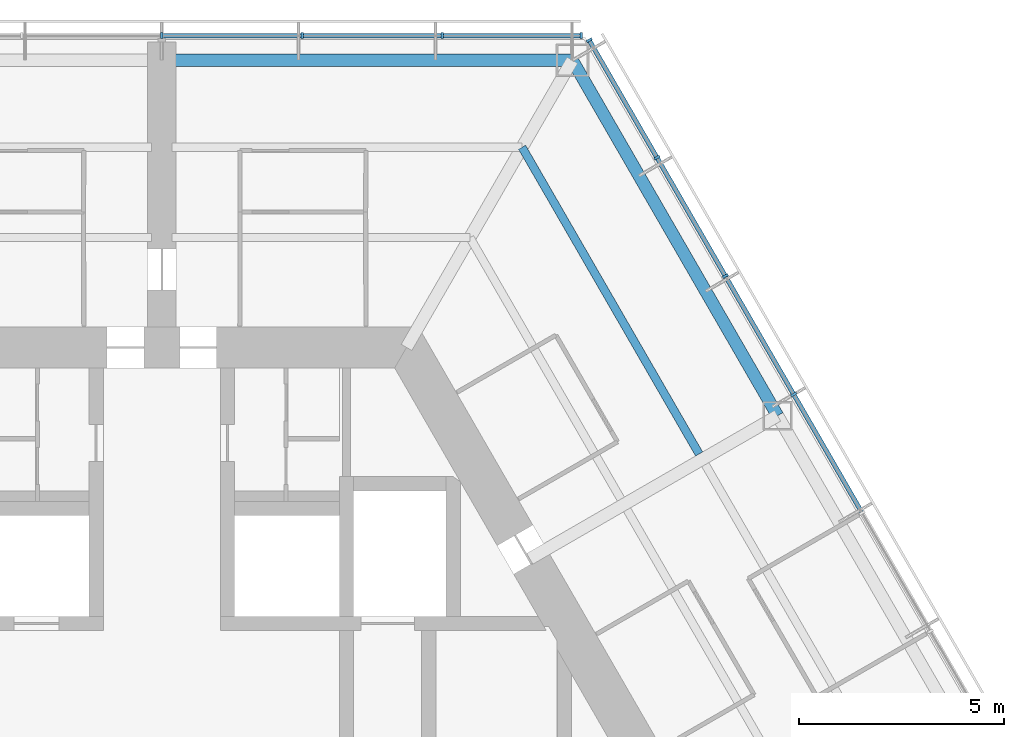
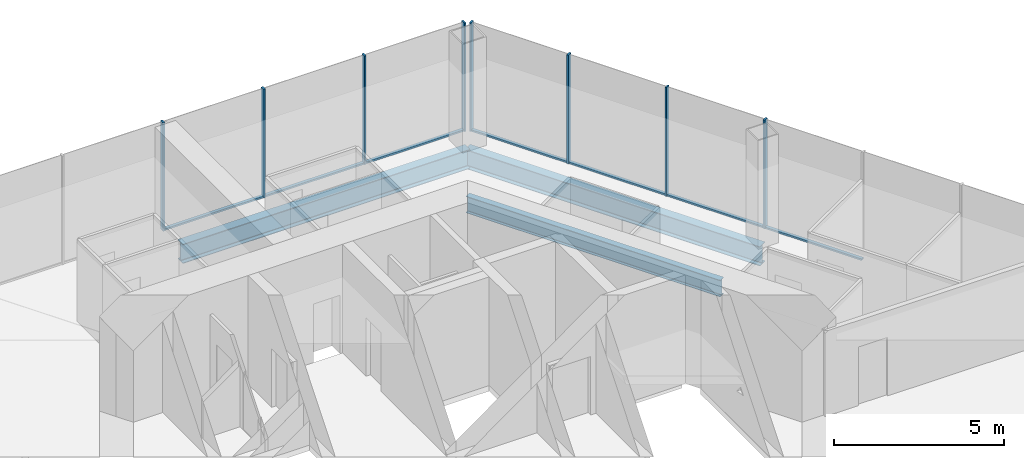
# One storey, part 8 of 18: 15 members, 3 beams, 2 elements without a shape of their own.
"""IFC4 building model written with IfcOpenShell, lengths in metres."""

from ifc_helpers import new_model, si_unit, direction, frame, origin, origin_2d, place, context, subcontext, project, spatial, rectangle, i_section, extrude, material, material_profile, profile_set, type_object, element, aggregate, save


model = new_model("IFC4")

# Units and contexts
model_context = context("Model", 3, precision=1e-05, world=origin(), true_north=direction((0.0, 1.0)))
body_context = subcontext(model_context, "Body", "Model", "MODEL_VIEW")
ifc_project = project(units=[si_unit("LENGTHUNIT", "METRE"), si_unit("AREAUNIT", "SQUARE_METRE"), si_unit("VOLUMEUNIT", "CUBIC_METRE"), si_unit("PLANEANGLEUNIT", "RADIAN"), si_unit("MASSUNIT", "GRAM", prefix="KILO")], contexts=[model_context])

# Site, building, storey
site_placement = place(None, origin())
site = spatial("IfcSite", under=ifc_project, at=site_placement, CompositionType="ELEMENT")
building_placement = place(site_placement, origin())
building = spatial("IfcBuilding", under=site, at=building_placement, Name="Kasaneha Research Tower", CompositionType="ELEMENT")
storey_placement = place(building_placement, frame((0.0, 0.0, 176.0)))
storey = spatial("IfcBuildingStorey", under=building, at=storey_placement, Name="L44", CompositionType="ELEMENT", Elevation=176.0)

# Beam
ifc_material_1 = material(Name="Steel SN490B", Category="steel")
ifc_material_profile_1 = material_profile(ifc_material_1, i_section(OverallWidth=0.199951171875, OverallDepth=0.60009765625, WebThickness=0.010986328125, FlangeThickness=0.01708984375, FilletRadius=0.012939453125, at=origin_2d()), Name="H-600x200x11x17")
ifc_profile_set_1 = profile_set([ifc_material_profile_1], Name="Steel SN490B")
beam_type_1 = type_object("IfcBeamType", Name="B1-3 secondary beam H-600x200x11x17", PredefinedType="JOIST", material=ifc_profile_set_1)
beam_1_placement = place(storey_placement, frame((8.775634765625, 15.199951171875, -0.449951171875), z_axis=(0.500017275495, -0.866015429543, 0.0), x_axis=(0.866015429543, 0.500017275495, 0.0)))
element("IfcBeam", 1, at=beam_1_placement, inside=storey, type_object=beam_type_1, Name="Secondary beam RS030R2 L44", PredefinedType="JOIST", context=body_context, shape_type="SweptSolid", body=[
    extrude(i_section(OverallWidth=0.199951171875, OverallDepth=0.60009765625, WebThickness=0.010986328125, FlangeThickness=0.01708984375, FilletRadius=0.012939453125, at=origin_2d()), origin(), (0.0, 0.0, 1.0), 8.625732421875),
])

# Curtain wall, members
ifc_material_2 = material(Name="Glass and aluminium", Category="aluminium")
curtain_wall_type = type_object("IfcCurtainWallType", Name="Mid-rise office curtain wall", PredefinedType="USERDEFINED", material=ifc_material_2)
curtain_wall_1_placement = place(storey_placement, origin())
curtain_wall_1 = element("IfcCurtainWall", 2, at=curtain_wall_1_placement, inside=storey, type_object=curtain_wall_type, Name="CW-O2 L44 run 06a", ObjectType="UNITISED CURTAIN WALL", PredefinedType="USERDEFINED")
ifc_material_3 = material(Name="Aluminium 6063-T6", Category="aluminium")
ifc_material_profile_2 = material_profile(ifc_material_3, rectangle(XDim=0.06005859375, YDim=0.14990234375, at=origin_2d()), Name="CW-O2 mullion 60x150")
ifc_profile_set_2 = profile_set([ifc_material_profile_2], Name="Aluminium 6063-T6")
member_type_1 = type_object("IfcMemberType", Name="CW-O2 mullion", PredefinedType="MULLION", material=ifc_profile_set_2)
member_1_placement = place(storey_placement, frame((15.392822265625, 9.179931640625, 0.0), z_axis=(0.0, 0.0, 1.0), x_axis=(-0.499999979232, 0.866025415775, 0.0)))
member_1 = element("IfcMember", 3, at=member_1_placement, type_object=member_type_1, Name="CW-O2 mullion 4", PredefinedType="MULLION", context=body_context, shape_type="SweptSolid", body=[
    extrude(rectangle(XDim=0.06005859375, YDim=0.14990234375, at=origin_2d()), origin(), (0.0, 0.0, 1.0), 3.89990234375),
])
member_2_placement = place(storey_placement, frame((13.727294921875, 12.064453125, 0.0), z_axis=(0.0, 0.0, 1.0), x_axis=(-0.499999979232, 0.866025415775, 0.0)))
member_2 = element("IfcMember", 4, at=member_2_placement, type_object=member_type_1, Name="CW-O2 mullion 5", PredefinedType="MULLION", context=body_context, shape_type="SweptSolid", body=[
    extrude(rectangle(XDim=0.06005859375, YDim=0.14990234375, at=origin_2d()), origin(), (0.0, 0.0, 1.0), 3.89990234375),
])
member_3_placement = place(storey_placement, frame((12.061767578125, 14.94921875, 0.0), z_axis=(0.0, 0.0, 1.0), x_axis=(-0.499999979232, 0.866025415775, 0.0)))
member_3 = element("IfcMember", 5, at=member_3_placement, type_object=member_type_1, Name="CW-O2 mullion 6", PredefinedType="MULLION", context=body_context, shape_type="SweptSolid", body=[
    extrude(rectangle(XDim=0.06005859375, YDim=0.14990234375, at=origin_2d()), origin(), (0.0, 0.0, 1.0), 3.89990234375),
])
member_4_placement = place(storey_placement, frame((10.411376953125, 17.807861328125, 0.0), z_axis=(0.0, 0.0, 1.0), x_axis=(-0.499999979232, 0.866025415775, 0.0)))
member_4 = element("IfcMember", 6, at=member_4_placement, type_object=member_type_1, Name="CW-O2 mullion 7", PredefinedType="MULLION", context=body_context, shape_type="SweptSolid", body=[
    extrude(rectangle(XDim=0.06005859375, YDim=0.14990234375, at=origin_2d()), origin(), (0.0, 0.0, 1.0), 3.89990234375),
])

curtain_wall_2_placement = place(storey_placement, origin())
curtain_wall_2 = element("IfcCurtainWall", 7, at=curtain_wall_2_placement, inside=storey, type_object=curtain_wall_type, Name="CW-O2 L44 run 07a", ObjectType="UNITISED CURTAIN WALL", PredefinedType="USERDEFINED")
member_5_placement = place(storey_placement, frame((10.21630859375, 17.92041015625, 0.0), z_axis=(0.0, 0.0, 1.0), x_axis=(-1.0, 0.0, 0.0)))
member_5 = element("IfcMember", 8, at=member_5_placement, type_object=member_type_1, Name="CW-O2 mullion 1", PredefinedType="MULLION", context=body_context, shape_type="SweptSolid", body=[
    extrude(rectangle(XDim=0.06005859375, YDim=0.14990234375, at=origin_2d()), origin(), (0.0, 0.0, 1.0), 3.89990234375),
])
member_6_placement = place(storey_placement, frame((6.8310546875, 17.92041015625, 0.0), z_axis=(0.0, 0.0, 1.0), x_axis=(-1.0, 0.0, 0.0)))
member_6 = element("IfcMember", 9, at=member_6_placement, type_object=member_type_1, Name="CW-O2 mullion 2", PredefinedType="MULLION", context=body_context, shape_type="SweptSolid", body=[
    extrude(rectangle(XDim=0.06005859375, YDim=0.14990234375, at=origin_2d()), origin(), (0.0, 0.0, 1.0), 3.89990234375),
])
member_7_placement = place(storey_placement, frame((3.41552734375, 17.92041015625, 0.0), z_axis=(0.0, 0.0, 1.0), x_axis=(-1.0, 0.0, 0.0)))
member_7 = element("IfcMember", 10, at=member_7_placement, type_object=member_type_1, Name="CW-O2 mullion 3", PredefinedType="MULLION", context=body_context, shape_type="SweptSolid", body=[
    extrude(rectangle(XDim=0.06005859375, YDim=0.14990234375, at=origin_2d()), origin(), (0.0, 0.0, 1.0), 3.89990234375),
])
member_8_placement = place(storey_placement, frame((0.0, 17.92041015625, 0.0), z_axis=(0.0, 0.0, 1.0), x_axis=(-1.0, 0.0, 0.0)))
member_8 = element("IfcMember", 11, at=member_8_placement, type_object=member_type_1, Name="CW-O2 mullion 4", PredefinedType="MULLION", context=body_context, shape_type="SweptSolid", body=[
    extrude(rectangle(XDim=0.06005859375, YDim=0.14990234375, at=origin_2d()), origin(), (0.0, 0.0, 1.0), 3.89990234375),
])

# Member
ifc_material_4 = material(Name="Aluminium 6063-T6", Category="aluminium")
ifc_material_profile_3 = material_profile(ifc_material_4, rectangle(XDim=0.110107421875, YDim=0.06005859375, at=origin_2d()), Name="CW-O2 transom 110x60")
ifc_profile_set_3 = profile_set([ifc_material_profile_3], Name="Aluminium 6063-T6")
member_type_2 = type_object("IfcMemberType", Name="CW-O2 transom", PredefinedType="USERDEFINED", material=ifc_profile_set_3)
member_9_placement = place(storey_placement, frame((17.043212890625, 6.3212890625, 0.030029296875), z_axis=(-0.50003259116, 0.866006586452, 0.0), x_axis=(-0.866006586452, -0.50003259116, 0.0)))
member_9 = element("IfcMember", 12, at=member_9_placement, type_object=member_type_2, Name="CW-O2 transom 3", ObjectType="TRANSOM", PredefinedType="USERDEFINED", context=body_context, shape_type="SweptSolid", body=[
    extrude(rectangle(XDim=0.110107421875, YDim=0.06005859375, at=origin_2d()), origin(), (0.0, 0.0, 1.0), 3.270751953125),
])

member_10_placement = place(storey_placement, frame((15.3779296875, 9.205810546875, 0.030029296875), z_axis=(-0.500000270186, 0.866025247793, 0.0), x_axis=(-0.866025247793, -0.500000270186, 0.0)))
member_10 = element("IfcMember", 13, at=member_10_placement, type_object=member_type_2, Name="CW-O2 transom 4", ObjectType="TRANSOM", PredefinedType="USERDEFINED", context=body_context, shape_type="SweptSolid", body=[
    extrude(rectangle(XDim=0.110107421875, YDim=0.06005859375, at=origin_2d()), origin(), (0.0, 0.0, 1.0), 3.27099609375),
])

member_11_placement = place(storey_placement, frame((13.71240234375, 12.090576171875, 0.030029296875), z_axis=(-0.500000270186, 0.866025247793, 0.0), x_axis=(-0.866025247793, -0.500000270186, 0.0)))
member_11 = element("IfcMember", 14, at=member_11_placement, type_object=member_type_2, Name="CW-O2 transom 5", ObjectType="TRANSOM", PredefinedType="USERDEFINED", context=body_context, shape_type="SweptSolid", body=[
    extrude(rectangle(XDim=0.110107421875, YDim=0.06005859375, at=origin_2d()), origin(), (0.0, 0.0, 1.0), 3.27099609375),
])

member_12_placement = place(storey_placement, frame((12.046875, 14.97509765625, 0.030029296875), z_axis=(-0.499955025697, 0.866051368154, 0.0), x_axis=(-0.866051368154, -0.499955025697, 0.0)))
member_12 = element("IfcMember", 15, at=member_12_placement, type_object=member_type_2, Name="CW-O2 transom 6", ObjectType="TRANSOM", PredefinedType="USERDEFINED", context=body_context, shape_type="SweptSolid", body=[
    extrude(rectangle(XDim=0.110107421875, YDim=0.06005859375, at=origin_2d()), origin(), (0.0, 0.0, 1.0), 3.240966796875),
])

aggregate(curtain_wall_1, [member_1, member_2, member_3, member_4, member_9, member_10, member_11, member_12])

member_13_placement = place(storey_placement, frame((10.1865234375, 17.92041015625, 0.030029296875), z_axis=(-1.0, 0.0, 0.0), x_axis=(0.0, -1.0, 0.0)))
member_13 = element("IfcMember", 16, at=member_13_placement, type_object=member_type_2, Name="CW-O2 transom 1", ObjectType="TRANSOM", PredefinedType="USERDEFINED", context=body_context, shape_type="SweptSolid", body=[
    extrude(rectangle(XDim=0.110107421875, YDim=0.06005859375, at=origin_2d()), origin(), (0.0, 0.0, 1.0), 3.32568359375),
])

member_14_placement = place(storey_placement, frame((6.801025390625, 17.92041015625, 0.030029296875), z_axis=(-1.0, 0.0, 0.0), x_axis=(0.0, -1.0, 0.0)))
member_14 = element("IfcMember", 17, at=member_14_placement, type_object=member_type_2, Name="CW-O2 transom 2", ObjectType="TRANSOM", PredefinedType="USERDEFINED", context=body_context, shape_type="SweptSolid", body=[
    extrude(rectangle(XDim=0.110107421875, YDim=0.06005859375, at=origin_2d()), origin(), (0.0, 0.0, 1.0), 3.35546875),
])

member_15_placement = place(storey_placement, frame((3.385498046875, 17.92041015625, 0.030029296875), z_axis=(-1.0, 0.0, 0.0), x_axis=(0.0, -1.0, 0.0)))
member_15 = element("IfcMember", 18, at=member_15_placement, type_object=member_type_2, Name="CW-O2 transom 3", ObjectType="TRANSOM", PredefinedType="USERDEFINED", context=body_context, shape_type="SweptSolid", body=[
    extrude(rectangle(XDim=0.110107421875, YDim=0.06005859375, at=origin_2d()), origin(), (0.0, 0.0, 1.0), 3.35546875),
])

aggregate(curtain_wall_2, [member_5, member_6, member_7, member_8, member_13, member_14, member_15])

# Beams
ifc_material_5 = material(Name="Steel SN490B", Category="steel")
ifc_material_profile_4 = material_profile(ifc_material_5, i_section(OverallWidth=0.300048828125, OverallDepth=0.69189453125, WebThickness=0.012939453125, FlangeThickness=0.02001953125, FilletRadius=0.01806640625, at=origin_2d()), Name="H-692x300x13x20")
ifc_profile_set_4 = profile_set([ifc_material_profile_4], Name="Steel SN490B")
beam_type_2 = type_object("IfcBeamType", Name="G3-3 plate edge girder H-692x300x13x20", PredefinedType="BEAM", material=ifc_profile_set_4)
beam_2_placement = place(storey_placement, frame((10.0, 17.320556640625, -0.49609375), z_axis=(-1.0, 0.0, 0.0), x_axis=(0.0, -1.0, 0.0)))
element("IfcBeam", 19, at=beam_2_placement, inside=storey, type_object=beam_type_2, Name="Plate edge girder PEAP L44", PredefinedType="BEAM", context=body_context, shape_type="SweptSolid", body=[
    extrude(i_section(OverallWidth=0.300048828125, OverallDepth=0.69189453125, WebThickness=0.012939453125, FlangeThickness=0.02001953125, FilletRadius=0.01806640625, at=origin_2d()), origin(), (0.0, 0.0, 1.0), 9.75),
])
ifc_material_6 = material(Name="Steel SN490B", Category="steel")
ifc_material_profile_5 = material_profile(ifc_material_6, i_section(OverallWidth=0.300048828125, OverallDepth=0.69189453125, WebThickness=0.012939453125, FlangeThickness=0.02001953125, FilletRadius=0.01806640625, at=origin_2d()), Name="H-692x300x13x20")
ifc_profile_set_5 = profile_set([ifc_material_profile_5], Name="Steel SN490B")
beam_type_3 = type_object("IfcBeamType", Name="SB1-3 spandrel beam H-692x300x13x20", PredefinedType="SPANDREL", material=ifc_profile_set_5)
beam_3_placement = place(storey_placement, frame((10.0, 17.320556640625, -0.49609375), z_axis=(0.499993662806, -0.866029062534, 0.0), x_axis=(0.866029062534, 0.499993662806, 0.0)))
element("IfcBeam", 20, at=beam_3_placement, inside=storey, type_object=beam_type_3, Name="Spandrel beam SR030R L44", PredefinedType="SPANDREL", context=body_context, shape_type="SweptSolid", body=[
    extrude(i_section(OverallWidth=0.300048828125, OverallDepth=0.69189453125, WebThickness=0.012939453125, FlangeThickness=0.02001953125, FilletRadius=0.01806640625, at=origin_2d()), origin(), (0.0, 0.0, 1.0), 10.000244140625),
])

save(model, "model.ifc")
